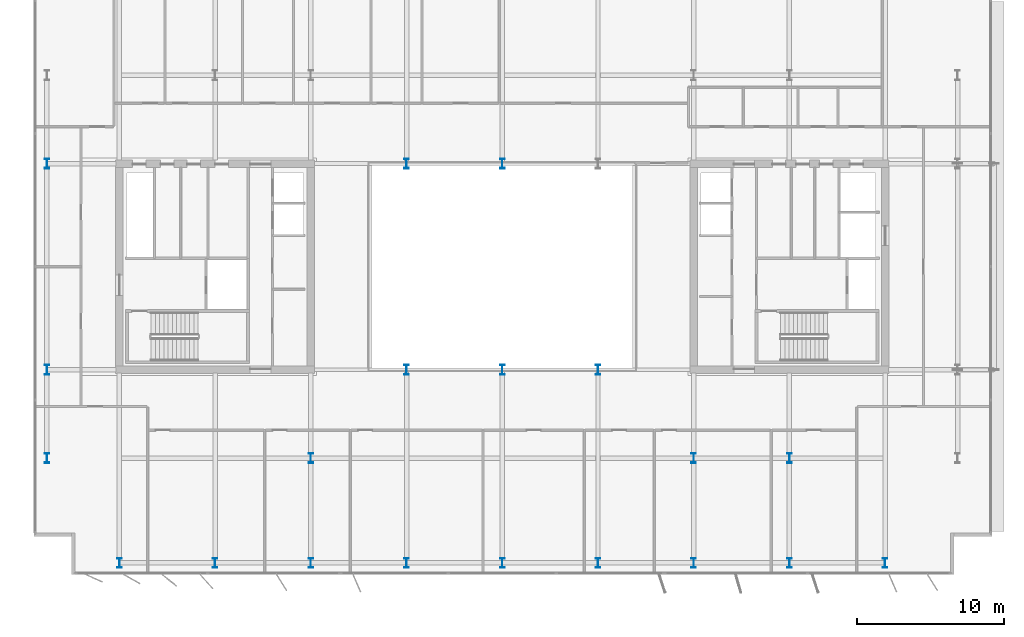
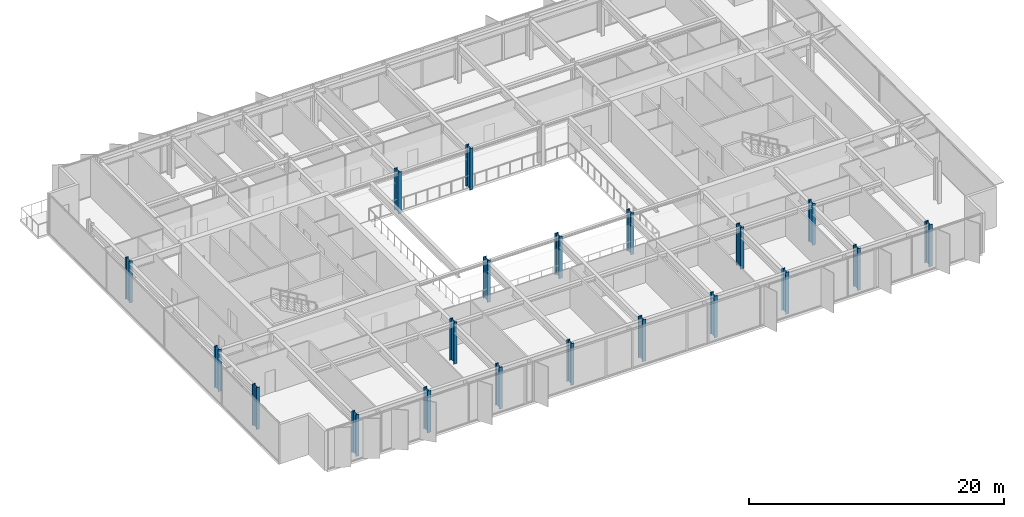
# One storey, part 1 of 21: 20 columns.
"""IFC4 building model written with IfcOpenShell, lengths in metres."""

from ifc_helpers import new_model, si_unit, direction, frame, origin, origin_2d, place, context, subcontext, project, spatial, i_section, extrude, material, material_profile, profile_set, type_object, element, save


model = new_model("IFC4")

# Units and contexts
model_context = context("Model", 3, precision=1e-05, world=origin(), true_north=direction((0.0, 1.0)))
body_context = subcontext(model_context, "Body", "Model", "MODEL_VIEW")
ifc_project = project(units=[si_unit("LENGTHUNIT", "METRE"), si_unit("AREAUNIT", "SQUARE_METRE"), si_unit("VOLUMEUNIT", "CUBIC_METRE"), si_unit("PLANEANGLEUNIT", "RADIAN"), si_unit("MASSUNIT", "GRAM", prefix="KILO")], contexts=[model_context])

# Site, building, storey
site_placement = place(None, origin())
site = spatial("IfcSite", under=ifc_project, at=site_placement, CompositionType="ELEMENT")
building_placement = place(site_placement, origin())
building = spatial("IfcBuilding", under=site, at=building_placement, Name="Putna Gate Headquarters", CompositionType="ELEMENT")
storey_placement = place(building_placement, frame((0.0, 0.0, 278.39990234375)))
storey = spatial("IfcBuildingStorey", under=building, at=storey_placement, Name="L70", CompositionType="ELEMENT", Elevation=278.39990234375)

# Columns
ifc_material = material(Name="Steel S460M", Category="steel")
ifc_material_profile_1 = material_profile(ifc_material, i_section(OverallWidth=0.304931640625, OverallDepth=0.66796875, WebThickness=0.02099609375, FlangeThickness=0.0400390625, at=origin_2d()), Name="Steel S460M")
ifc_profile_set_1 = profile_set([ifc_material_profile_1], Name="Steel S460M")
column_type_1 = type_object("IfcColumnType", Name="COL-STL-HEM650-EXT", PredefinedType="COLUMN", material=ifc_profile_set_1)
for number, where, z_axis, x_axis, name in (
    (1, (13.0, 5.8798828125, 0.0), (0.0, 0.0, 1.0), (1.0, 0.0, 0.0), "L70 Column CP-S13"),
    (2, (19.5, 5.8798828125, 0.0), (0.0, 0.0, 1.0), (1.0, 0.0, 0.0), "L70 Column CP-S19"),
    (3, (26.0, 5.8798828125, 0.0), (0.0, 0.0, 1.0), (1.0, 0.0, 0.0), "L70 Column CP-S26"),
    (4, (32.5, 5.8798828125, 0.0), (0.0, 0.0, 1.0), (1.0, 0.0, 0.0), "L70 Column CP-S32"),
    (5, (39.0, 5.8798828125, 0.0), (0.0, 0.0, 1.0), (1.0, 0.0, 0.0), "L70 Column CP-S39"),
    (6, (45.5, 5.8798828125, 0.0), (0.0, 0.0, 1.0), (1.0, 0.0, 0.0), "L70 Column CP-S45"),
    (7, (52.0, 5.8798828125, 0.0), (0.0, 0.0, 1.0), (1.0, 0.0, 0.0), "L70 Column CP-S52"),
    (8, (58.5, 5.8798828125, 0.0), (0.0, 0.0, 1.0), (1.0, 0.0, 0.0), "L70 Column CP-S58"),
    (9, (65.0, 5.8798828125, 0.0), (0.0, 0.0, 1.0), (1.0, 0.0, 0.0), "L70 Column CP-S65"),
    (10, (8.080078125, 13.0, 0.0), (0.0, 0.0, 1.0), (1.0, 0.0, 0.0), "L70 Column CP-W13"),
    (11, (8.080078125, 19.0, 0.0), (0.0, 0.0, 1.0), (1.0, 0.0, 0.0), "L70 Column CP-W19"),
    (12, (8.080078125, 33.0, 0.0), (0.0, 0.0, 1.0), (1.0, 0.0, 0.0), "L70 Column CP-W33"),
):
    element("IfcColumn", number, at=place(storey_placement, frame(where, z_axis=z_axis, x_axis=x_axis)), inside=storey, type_object=column_type_1, Name=name, PredefinedType="COLUMN", context=body_context, shape_type="SweptSolid", body=[
        extrude(i_section(OverallWidth=0.304931640625, OverallDepth=0.66796875, WebThickness=0.02099609375, FlangeThickness=0.0400390625, at=origin_2d()), origin(), (0.0, 0.0, 1.0), 4.0),
    ])
ifc_material_profile_2 = material_profile(ifc_material, i_section(OverallWidth=0.304931640625, OverallDepth=0.66796875, WebThickness=0.02099609375, FlangeThickness=0.0400390625, at=origin_2d()), Name="Steel S460M")
ifc_profile_set_2 = profile_set([ifc_material_profile_2], Name="Steel S460M")
column_type_2 = type_object("IfcColumnType", Name="COL-STL-HEM650-INT", PredefinedType="COLUMN", material=ifc_profile_set_2)
for number, where, z_axis, x_axis, name in (
    (13, (58.5, 13.0, 0.0), (0.0, 0.0, 1.0), (1.0, 0.0, 0.0), "L70 Column CSI-ES"),
    (14, (32.5, 19.0, 0.0), (0.0, 0.0, 1.0), (1.0, 0.0, 0.0), "L70 Column CAI-S32"),
    (15, (32.5, 33.0, 0.0), (0.0, 0.0, 1.0), (1.0, 0.0, 0.0), "L70 Column CAI-N32"),
    (16, (39.0, 19.0, 0.0), (0.0, 0.0, 1.0), (1.0, 0.0, 0.0), "L70 Column CAI-S39"),
    (17, (39.0, 33.0, 0.0), (0.0, 0.0, 1.0), (1.0, 0.0, 0.0), "L70 Column CAI-N39"),
    (18, (45.5, 19.0, 0.0), (0.0, 0.0, 1.0), (1.0, 0.0, 0.0), "L70 Column CAI-S45"),
    (19, (26.0, 13.0, 0.0), (0.0, 0.0, 1.0), (1.0, 0.0, 0.0), "L70 Column CAP-WS"),
    (20, (52.0, 13.0, 0.0), (0.0, 0.0, 1.0), (1.0, 0.0, 0.0), "L70 Column CAP-ES"),
):
    element("IfcColumn", number, at=place(storey_placement, frame(where, z_axis=z_axis, x_axis=x_axis)), inside=storey, type_object=column_type_2, Name=name, PredefinedType="COLUMN", context=body_context, shape_type="SweptSolid", body=[
        extrude(i_section(OverallWidth=0.304931640625, OverallDepth=0.66796875, WebThickness=0.02099609375, FlangeThickness=0.0400390625, at=origin_2d()), origin(), (0.0, 0.0, 1.0), 4.0),
    ])

save(model, "model.ifc")
